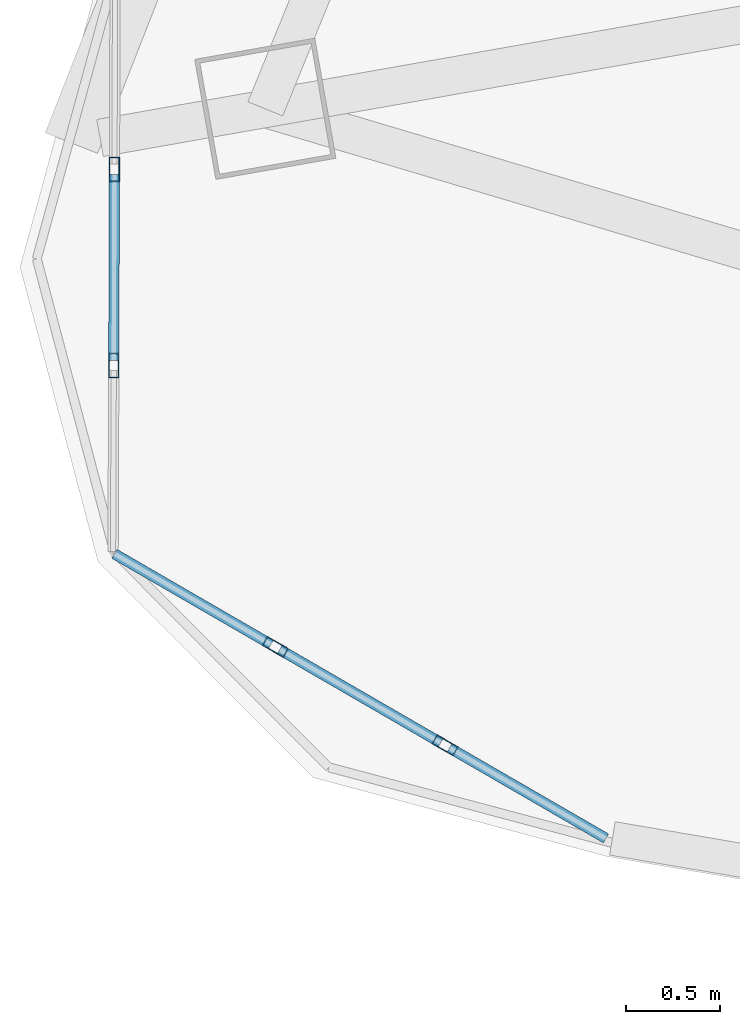
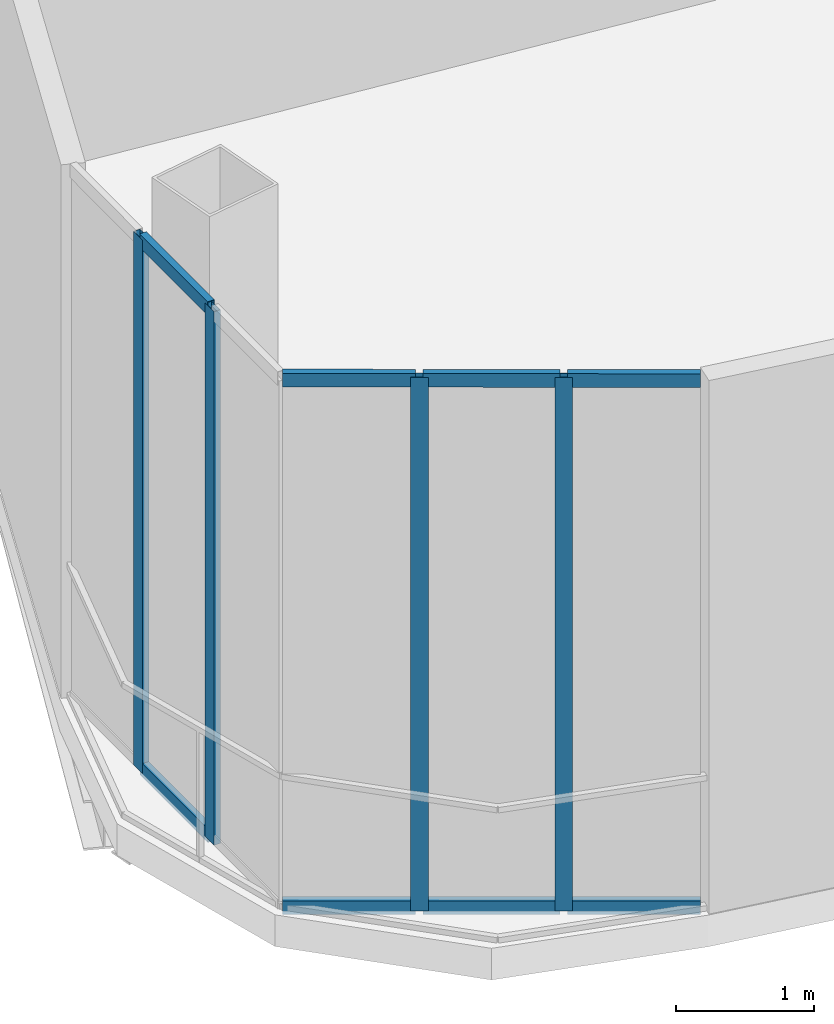
# One storey, part 2 of 32: 12 members, 2 elements without a shape of their own.
"""IFC4 building model written with IfcOpenShell, lengths in metres."""

import ifcopenshell
import ifcopenshell.guid

model = None  # the IFC model being written
_history = None  # IfcOwnerHistory: only IFC2X3 demands one
_inside = {}  # id of a spatial element -> (the spatial element, [elements in it])
_under = {}  # id of a project, library or spatial element -> (it, [spatial elements below it])
_declared = {}  # id of a project -> (the project, [libraries it declares])
_typed = {}  # id of a type object -> (the type object, [elements of that type])
_made_of = {}  # id of a material, layer set ... -> (it, [elements and type objects made of it])


def new_model(schema):
    """Start an empty IFC model of exactly this schema.

    Asked for "IFC4X3", IfcOpenShell would pick the latest addendum, in which some entities
    have other attributes; the version numbers below select the first issue.
    IFC2X3 requires an IfcOwnerHistory on every rooted entity: one is made here for all.
    """
    global model, _history
    if schema == "IFC4X3":
        model = ifcopenshell.file(schema_version=(4, 3, 0, 0))
    else:
        model = ifcopenshell.file(schema=schema)
    _inside.clear()
    _under.clear()
    _declared.clear()
    _typed.clear()
    _made_of.clear()
    _history = None
    if model.schema == "IFC2X3":
        org = make("IfcOrganization", Name="unknown")
        user = make(
            "IfcPersonAndOrganization",
            ThePerson=make("IfcPerson", FamilyName="unknown"),
            TheOrganization=org,
        )
        app = make(
            "IfcApplication",
            ApplicationDeveloper=org,
            Version="unknown",
            ApplicationFullName="unknown",
            ApplicationIdentifier="unknown",
        )
        _history = make(
            "IfcOwnerHistory",
            OwningUser=user,
            OwningApplication=app,
            ChangeAction="ADDED",
            CreationDate=0,
        )
    return model


def make(cls, **values):
    """One entity of the class cls with the attributes given. An attribute that is None is left unset."""
    return model.create_entity(
        cls, **{name: value for name, value in values.items() if value is not None}
    )


def rooted(cls, **values):
    """An entity with a GlobalId (a new one), such as an element, a storey or a relation."""
    return make(cls, GlobalId=ifcopenshell.guid.new(), OwnerHistory=_history, **values)


def si_unit(unit_type, name, prefix=None):
    """IfcSIUnit, for example si_unit("LENGTHUNIT", "METRE", prefix="MILLI")."""
    return make("IfcSIUnit", UnitType=unit_type, Prefix=prefix, Name=name)


def assignment(units):
    """IfcUnitAssignment: the units of a project."""
    return None if units is None else make("IfcUnitAssignment", Units=units)


def point(xyz):
    """IfcCartesianPoint."""
    return None if xyz is None else make("IfcCartesianPoint", Coordinates=xyz)


def direction(xyz):
    """IfcDirection."""
    return None if xyz is None else make("IfcDirection", DirectionRatios=xyz)


def frame(location, z_axis=None, x_axis=None):
    """IfcAxis2Placement3D, a coordinate frame: its origin and axes. An axis left out is left unset."""
    return make(
        "IfcAxis2Placement3D",
        Location=point(location),
        Axis=direction(z_axis),
        RefDirection=direction(x_axis),
    )


def frame_2d(location, x_axis=None):
    """IfcAxis2Placement2D, a coordinate frame in the plane: its origin and x axis."""
    return make(
        "IfcAxis2Placement2D", Location=point(location), RefDirection=direction(x_axis)
    )


def origin():
    """The frame at (0, 0, 0) with its axes left unset."""
    return frame((0.0, 0.0, 0.0))


def origin_2d():
    """The frame at (0, 0) in the plane with its x axis left unset."""
    return frame_2d((0.0, 0.0))


def place(relative_to, where):
    """IfcLocalPlacement: puts the frame where relative to a parent placement (None: the world)."""
    return make(
        "IfcLocalPlacement", PlacementRelTo=relative_to, RelativePlacement=where
    )


def context(
    kind, dimensions, precision=None, world=None, true_north=None, identifier=None
):
    """IfcGeometricRepresentationContext, for example the 3D "Model" context."""
    return make(
        "IfcGeometricRepresentationContext",
        ContextIdentifier=identifier,
        ContextType=kind,
        CoordinateSpaceDimension=dimensions,
        Precision=precision,
        WorldCoordinateSystem=world,
        TrueNorth=true_north,
    )


def subcontext(parent, identifier, kind, view, scale=None):
    """IfcGeometricRepresentationSubContext, for example "Body" below "Model"."""
    return make(
        "IfcGeometricRepresentationSubContext",
        ContextIdentifier=identifier,
        ContextType=kind,
        ParentContext=parent,
        TargetScale=scale,
        TargetView=view,
    )


def project(units=None, contexts=None):
    """IfcProject with its units and contexts."""
    return rooted(
        "IfcProject",
        Name="project",
        RepresentationContexts=contexts,
        UnitsInContext=assignment(units),
    )


def spatial(cls, under=None, at=None, **own):
    """A site, building, storey or space (cls), placed at a placement, below another one or the project."""
    s = rooted(cls, ObjectPlacement=at, **own)
    if under is not None:
        _under.setdefault(under.id(), (under, []))[1].append(s)
    return s


def profile(cls, at=None, kind="AREA", **sizes):
    """A parametric profile (cls). Its sizes go by their IFC names, for example OverallWidth=200.0."""
    return make(cls, ProfileType=kind, Position=at, **sizes)


def hollow_rectangle(**sizes):
    """IfcRectangleHollowProfileDef."""
    return profile("IfcRectangleHollowProfileDef", **sizes)


def extrude(swept, where, along, depth):
    """IfcExtrudedAreaSolid: the profile swept, set in the frame where, extruded along a direction by depth."""
    return make(
        "IfcExtrudedAreaSolid",
        SweptArea=swept,
        Position=where,
        ExtrudedDirection=direction(along),
        Depth=depth,
    )


def shape(context_of_items, identifier, shape_type, items):
    """IfcShapeRepresentation: the items that make up one representation, for example the "Body"."""
    return make(
        "IfcShapeRepresentation",
        ContextOfItems=context_of_items,
        RepresentationIdentifier=identifier,
        RepresentationType=shape_type,
        Items=items,
    )


def source(mapping_origin, context_of_items, identifier, shape_type, items):
    """IfcRepresentationMap: a shape defined once, which mapped items show again and again."""
    return make(
        "IfcRepresentationMap",
        MappingOrigin=mapping_origin,
        MappedRepresentation=shape(context_of_items, identifier, shape_type, items),
    )


def transform(
    local_origin,
    x_axis=None,
    y_axis=None,
    z_axis=None,
    scale=None,
    scale2=None,
    scale3=None,
    uniform=True,
):
    """IfcCartesianTransformationOperator3D, or its non-uniform kind. x_axis, y_axis, z_axis: its Axis1, 2, 3."""
    if uniform:
        return make(
            "IfcCartesianTransformationOperator3D",
            Axis1=direction(x_axis),
            Axis2=direction(y_axis),
            LocalOrigin=point(local_origin),
            Scale=scale,
            Axis3=direction(z_axis),
        )
    return make(
        "IfcCartesianTransformationOperator3DnonUniform",
        Axis1=direction(x_axis),
        Axis2=direction(y_axis),
        LocalOrigin=point(local_origin),
        Scale=scale,
        Axis3=direction(z_axis),
        Scale2=scale2,
        Scale3=scale3,
    )


def mapped(mapping_source, mapping_target):
    """IfcMappedItem: shows the shape of a source again, moved by a transform."""
    return make(
        "IfcMappedItem", MappingSource=mapping_source, MappingTarget=mapping_target
    )


def material(Name=None, Category=None):
    """IfcMaterial."""
    return make("IfcMaterial", Name=Name, Category=Category)


def layer(
    of_material, thickness, ventilated=None, Name=None, Category=None, Priority=None
):
    """IfcMaterialLayer: one layer of a wall or slab, of a material (None: an air gap)."""
    return make(
        "IfcMaterialLayer",
        Material=of_material,
        LayerThickness=thickness,
        IsVentilated=ventilated,
        Name=Name,
        Category=Category,
        Priority=Priority,
    )


def layer_set(layers, Name=None):
    """IfcMaterialLayerSet."""
    return make("IfcMaterialLayerSet", MaterialLayers=layers, LayerSetName=Name)


def material_profile(
    of_material, cross_section, Name=None, Category=None, Priority=None
):
    """IfcMaterialProfile: a cross section and its material."""
    return make(
        "IfcMaterialProfile",
        Name=Name,
        Material=of_material,
        Profile=cross_section,
        Priority=Priority,
        Category=Category,
    )


def profile_set(profiles, Name=None, composite=None):
    """IfcMaterialProfileSet."""
    return make(
        "IfcMaterialProfileSet",
        Name=Name,
        MaterialProfiles=profiles,
        CompositeProfile=composite,
    )


def made_of(thing, what):
    """Note that an element or type object is made of a material, layer set ...; save() writes the relation."""
    if what is not None:
        _made_of.setdefault(what.id(), (what, []))[1].append(thing)
    return thing


def type_object(cls, material=None, **own):
    """A type object (cls), such as IfcWallType, which elements share."""
    return made_of(rooted(cls, **own), material)


def element(
    cls,
    number,
    at=None,
    inside=None,
    cuts=None,
    type_object=None,
    material=None,
    context=None,
    identifier="Body",
    shape_type=None,
    held_by="IfcProductDefinitionShape",
    body=None,
    shapes=None,
    **own,
):
    """One element of the class cls, such as IfcWall. Its Tag is "e" and its number.

    at: its placement. inside: the storey or other place that contains it. cuts: it is an
    opening in that element (IfcRelVoidsElement). A single representation is given by context,
    identifier, shape_type and body (its items); several are given by shapes. held_by: the class
    of the entity that holds the representations. save() writes the other relations.
    """
    e = rooted(cls, Tag="e%d" % number, ObjectPlacement=at, **own)
    if body is not None:
        shapes = [shape(context, identifier, shape_type, body)]
    if shapes is not None:
        e.Representation = make(held_by, Representations=shapes)
    if inside is not None:
        _inside.setdefault(inside.id(), (inside, []))[1].append(e)
    if cuts is not None:
        rooted(
            "IfcRelVoidsElement", RelatingBuildingElement=cuts, RelatedOpeningElement=e
        )
    if type_object is not None:
        _typed.setdefault(type_object.id(), (type_object, []))[1].append(e)
    return made_of(e, material)


def aggregate(whole, parts):
    """IfcRelAggregates: a whole, such as a stair, and the parts it consists of."""
    return rooted("IfcRelAggregates", RelatingObject=whole, RelatedObjects=parts)


def save(model, path):
    """Write the relations noted so far, then the file.

    IfcRelAggregates (storeys below a building ...), IfcRelContainedInSpatialStructure (elements
    in a storey), IfcRelDefinesByType, IfcRelAssociatesMaterial and IfcRelDeclares: one each for
    every whole, place, type object, material and project.
    """
    for whole, parts in _under.values():
        aggregate(whole, parts)
    for where, things in _inside.values():
        rooted(
            "IfcRelContainedInSpatialStructure",
            RelatedElements=things,
            RelatingStructure=where,
        )
    for kind, things in _typed.values():
        rooted("IfcRelDefinesByType", RelatedObjects=things, RelatingType=kind)
    for what, things in _made_of.values():
        rooted("IfcRelAssociatesMaterial", RelatedObjects=things, RelatingMaterial=what)
    for by, libraries in _declared.values():
        rooted("IfcRelDeclares", RelatingContext=by, RelatedDefinitions=libraries)
    model.write(path)


model = new_model("IFC4")

# Units and contexts
model_context = context("Model", 3, precision=1e-05, world=origin(), true_north=direction((0.0, 1.0)))
body_context = subcontext(model_context, "Body", "Model", "MODEL_VIEW")
ifc_project = project(units=[si_unit("LENGTHUNIT", "METRE"), si_unit("AREAUNIT", "SQUARE_METRE"), si_unit("VOLUMEUNIT", "CUBIC_METRE"), si_unit("PLANEANGLEUNIT", "RADIAN"), si_unit("MASSUNIT", "GRAM", prefix="KILO"), si_unit("THERMODYNAMICTEMPERATUREUNIT", "KELVIN"), si_unit("POWERUNIT", "WATT")], contexts=[model_context])

# Site, building, storey
site_placement = place(None, origin())
site = spatial("IfcSite", under=ifc_project, at=site_placement, CompositionType="ELEMENT")
building_placement = place(site_placement, origin())
building = spatial("IfcBuilding", under=site, at=building_placement, Name="Yunzhuo Pagoda Commons", CompositionType="ELEMENT")
storey_placement = place(building_placement, frame((0.0, 0.0, 396.760009765625)))
storey = spatial("IfcBuildingStorey", under=building, at=storey_placement, Name="L98", CompositionType="ELEMENT", Elevation=396.760009765625)

# Curtain wall, members
ifc_material = material(Name="Anodized aluminium 6063-T6", Category="aluminium")
ifc_layer = layer(ifc_material, 0.1298828125)
ifc_layer_set = layer_set([ifc_layer], Name="Anodized aluminium 6063-T6")
curtain_wall_type = type_object("IfcCurtainWallType", Name="CW-VTX Rounded Corner Curtain Wall", PredefinedType="NOTDEFINED", material=ifc_layer_set)
curtain_wall_1_placement = place(storey_placement, origin())
curtain_wall_1 = element("IfcCurtainWall", 1, at=curtain_wall_1_placement, inside=storey, type_object=curtain_wall_type, Name="L98 curtain wall CW-L98-CRNV1S1", PredefinedType="NOTDEFINED")
ifc_material_profile_1 = material_profile(ifc_material, hollow_rectangle(XDim=0.054931640625, YDim=0.1298828125, WallThickness=0.00341796875, at=origin_2d()), Name="Anodized aluminium 6063-T6")
ifc_profile_set_1 = profile_set([ifc_material_profile_1], Name="Anodized aluminium 6063-T6")
member_type_1 = type_object("IfcMemberType", Name="CW-VTX-M Mullion RHS 130x55x3.5", PredefinedType="MULLION", material=ifc_profile_set_1)
shared_shape_1 = source(origin(), body_context, "Body", "SweptSolid", [
    extrude(hollow_rectangle(XDim=0.054931640625, YDim=0.1298828125, WallThickness=0.00341796875, at=origin_2d()), origin(), (0.0, 0.0, 1.0), 4.72021484375),
])
member_1_placement = place(storey_placement, frame((22.72509765625, 29.0625, 0.0), z_axis=(0.0, 0.0, 1.0), x_axis=(0.99999363226, -0.003568674704, 0.0)))
member_1 = element("IfcMember", 2, at=member_1_placement, type_object=member_type_1, Name="CW mullion 2", PredefinedType="MULLION", context=body_context, shape_type="MappedRepresentation", body=[
    mapped(shared_shape_1, transform((0.0, 0.0, 0.0), scale=1.0)),
])
member_2_placement = place(storey_placement, frame((22.7216796875, 28.016357421875, 0.0), z_axis=(0.0, 0.0, 1.0), x_axis=(0.99999363226, -0.003568674704, 0.0)))
member_2 = element("IfcMember", 3, at=member_2_placement, type_object=member_type_1, Name="CW mullion 3", PredefinedType="MULLION", context=body_context, shape_type="MappedRepresentation", body=[
    mapped(shared_shape_1, transform((0.0, 0.0, 0.0), scale=1.0)),
])

curtain_wall_2_placement = place(storey_placement, origin())
curtain_wall_2 = element("IfcCurtainWall", 4, at=curtain_wall_2_placement, inside=storey, type_object=curtain_wall_type, Name="L98 curtain wall CW-L98-CRNV1S2", PredefinedType="NOTDEFINED")
member_3_placement = place(storey_placement, frame((23.583251953125, 26.515625, 0.0), z_axis=(0.0, 0.0, 1.0), x_axis=(0.501041294531, 0.865423376836, 0.0)))
member_3 = element("IfcMember", 5, at=member_3_placement, type_object=member_type_1, Name="CW mullion 2", PredefinedType="MULLION", context=body_context, shape_type="MappedRepresentation", body=[
    mapped(shared_shape_1, transform((0.0, 0.0, 0.0), scale=1.0)),
])
member_4_placement = place(storey_placement, frame((24.488525390625, 25.991455078125, 0.0), z_axis=(0.0, 0.0, 1.0), x_axis=(0.501041294531, 0.865423376836, 0.0)))
member_4 = element("IfcMember", 6, at=member_4_placement, type_object=member_type_1, Name="CW mullion 3", PredefinedType="MULLION", context=body_context, shape_type="MappedRepresentation", body=[
    mapped(shared_shape_1, transform((0.0, 0.0, 0.0), scale=1.0)),
])
ifc_material_profile_2 = material_profile(ifc_material, hollow_rectangle(XDim=0.054931640625, YDim=0.1201171875, WallThickness=0.00341796875, at=origin_2d()), Name="Anodized aluminium 6063-T6")
ifc_profile_set_2 = profile_set([ifc_material_profile_2], Name="Anodized aluminium 6063-T6")
member_type_2 = type_object("IfcMemberType", Name="CW-VTX-T Transom RHS 120x55x3.5", PredefinedType="USERDEFINED", material=ifc_profile_set_2)
shared_shape_2 = source(origin(), body_context, "Body", "SweptSolid", [
    extrude(hollow_rectangle(XDim=0.054931640625, YDim=0.1201171875, WallThickness=0.00341796875, at=origin_2d()), origin(), (0.0, 0.0, 1.0), 0.963623046875),
])
member_5_placement = place(storey_placement, frame((22.725341796875, 27.01220703125, 0.027587890625), z_axis=(0.865391594413, -0.501096186694, 0.0), x_axis=(0.501096186694, 0.865391594413, 0.0)))
member_5 = element("IfcMember", 7, at=member_5_placement, type_object=member_type_2, Name="CW transom 1.1", ObjectType="TRANSOM", PredefinedType="USERDEFINED", context=body_context, shape_type="MappedRepresentation", body=[
    mapped(shared_shape_2, transform((0.0, 0.0, 0.0), scale=1.0)),
])
member_6_placement = place(storey_placement, frame((22.725341796875, 27.01220703125, 4.6923828125), z_axis=(0.865391594413, -0.501096186694, 0.0), x_axis=(0.501096186694, 0.865391594413, 0.0)))
member_6 = element("IfcMember", 8, at=member_6_placement, type_object=member_type_2, Name="CW transom 1.2", ObjectType="TRANSOM", PredefinedType="USERDEFINED", context=body_context, shape_type="MappedRepresentation", body=[
    mapped(shared_shape_2, transform((0.0, 0.0, 0.0), scale=1.0)),
])

# Member
shared_shape_3 = source(origin(), body_context, "Body", "SweptSolid", [
    extrude(hollow_rectangle(XDim=0.054931640625, YDim=0.1201171875, WallThickness=0.00341796875, at=origin_2d()), origin(), (0.0, 0.0, 1.0), 0.990966796875),
])
member_7_placement = place(storey_placement, frame((22.72509765625, 29.034912109375, 0.027587890625), z_axis=(-0.003449104884, -0.99999405182, 0.0), x_axis=(0.99999405182, -0.003449104884, 0.0)))
member_7 = element("IfcMember", 9, at=member_7_placement, type_object=member_type_2, Name="CW transom 2.1", ObjectType="TRANSOM", PredefinedType="USERDEFINED", context=body_context, shape_type="MappedRepresentation", body=[
    mapped(shared_shape_3, transform((0.0, 0.0, 0.0), scale=1.0)),
])

member_8_placement = place(storey_placement, frame((22.72509765625, 29.034912109375, 4.6923828125), z_axis=(-0.003449104884, -0.99999405182, 0.0), x_axis=(0.99999405182, -0.003449104884, 0.0)))
member_8 = element("IfcMember", 10, at=member_8_placement, type_object=member_type_2, Name="CW transom 2.2", ObjectType="TRANSOM", PredefinedType="USERDEFINED", context=body_context, shape_type="MappedRepresentation", body=[
    mapped(shared_shape_3, transform((0.0, 0.0, 0.0), scale=1.0)),
])

aggregate(curtain_wall_1, [member_1, member_2, member_7, member_8])

shared_shape_4 = source(origin(), body_context, "Body", "SweptSolid", [
    extrude(hollow_rectangle(XDim=0.054931640625, YDim=0.1201171875, WallThickness=0.00341796875, at=origin_2d()), origin(), (0.0, 0.0, 1.0), 0.9912109375),
])
member_9_placement = place(storey_placement, frame((23.60693359375, 26.501708984375, 0.027587890625), z_axis=(0.86547124823, -0.500958599573, 0.0), x_axis=(0.500958599573, 0.86547124823, 0.0)))
member_9 = element("IfcMember", 11, at=member_9_placement, type_object=member_type_2, Name="CW transom 2.1", ObjectType="TRANSOM", PredefinedType="USERDEFINED", context=body_context, shape_type="MappedRepresentation", body=[
    mapped(shared_shape_4, transform((0.0, 0.0, 0.0), scale=1.0)),
])

member_10_placement = place(storey_placement, frame((23.60693359375, 26.501708984375, 4.6923828125), z_axis=(0.86547124823, -0.500958599573, 0.0), x_axis=(0.500958599573, 0.86547124823, 0.0)))
member_10 = element("IfcMember", 12, at=member_10_placement, type_object=member_type_2, Name="CW transom 2.2", ObjectType="TRANSOM", PredefinedType="USERDEFINED", context=body_context, shape_type="MappedRepresentation", body=[
    mapped(shared_shape_4, transform((0.0, 0.0, 0.0), scale=1.0)),
])

shared_shape_5 = source(origin(), body_context, "Body", "SweptSolid", [
    extrude(hollow_rectangle(XDim=0.054931640625, YDim=0.1201171875, WallThickness=0.00341796875, at=origin_2d()), origin(), (0.0, 0.0, 1.0), 0.96337890625),
])
member_11_placement = place(storey_placement, frame((24.512451171875, 25.9775390625, 0.027587890625), z_axis=(0.865437852253, -0.501016291041, 0.0), x_axis=(0.501016291041, 0.865437852253, 0.0)))
member_11 = element("IfcMember", 13, at=member_11_placement, type_object=member_type_2, Name="CW transom 3.1", ObjectType="TRANSOM", PredefinedType="USERDEFINED", context=body_context, shape_type="MappedRepresentation", body=[
    mapped(shared_shape_5, transform((0.0, 0.0, 0.0), scale=1.0)),
])

member_12_placement = place(storey_placement, frame((24.512451171875, 25.9775390625, 4.6923828125), z_axis=(0.865437852253, -0.501016291041, 0.0), x_axis=(0.501016291041, 0.865437852253, 0.0)))
member_12 = element("IfcMember", 14, at=member_12_placement, type_object=member_type_2, Name="CW transom 3.2", ObjectType="TRANSOM", PredefinedType="USERDEFINED", context=body_context, shape_type="MappedRepresentation", body=[
    mapped(shared_shape_5, transform((0.0, 0.0, 0.0), scale=1.0)),
])

aggregate(curtain_wall_2, [member_3, member_4, member_5, member_6, member_9, member_10, member_11, member_12])

save(model, "model.ifc")
